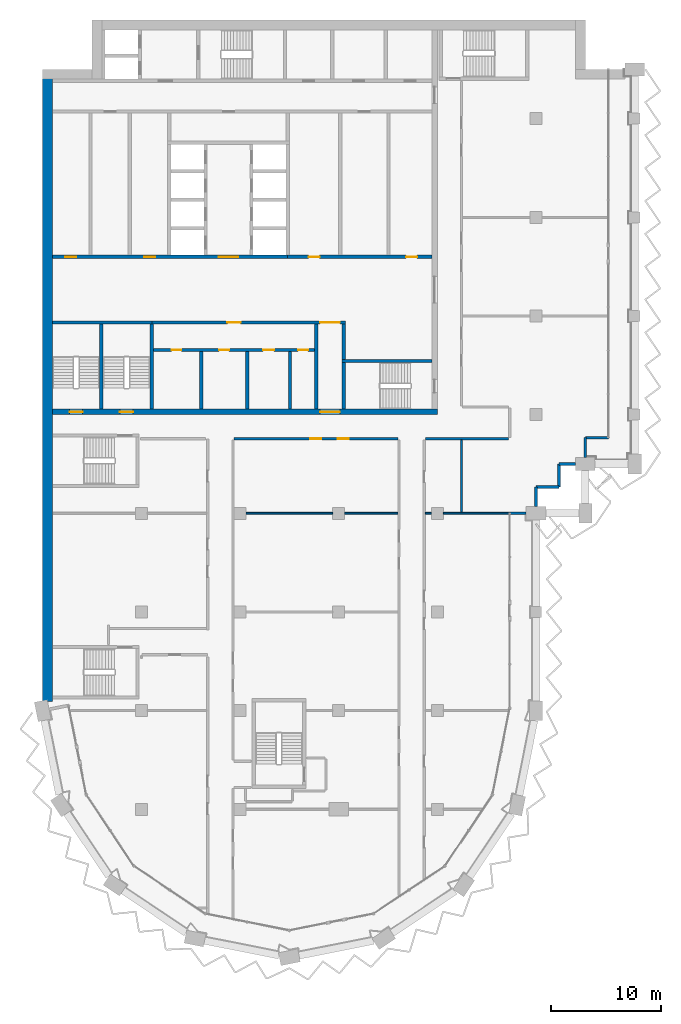
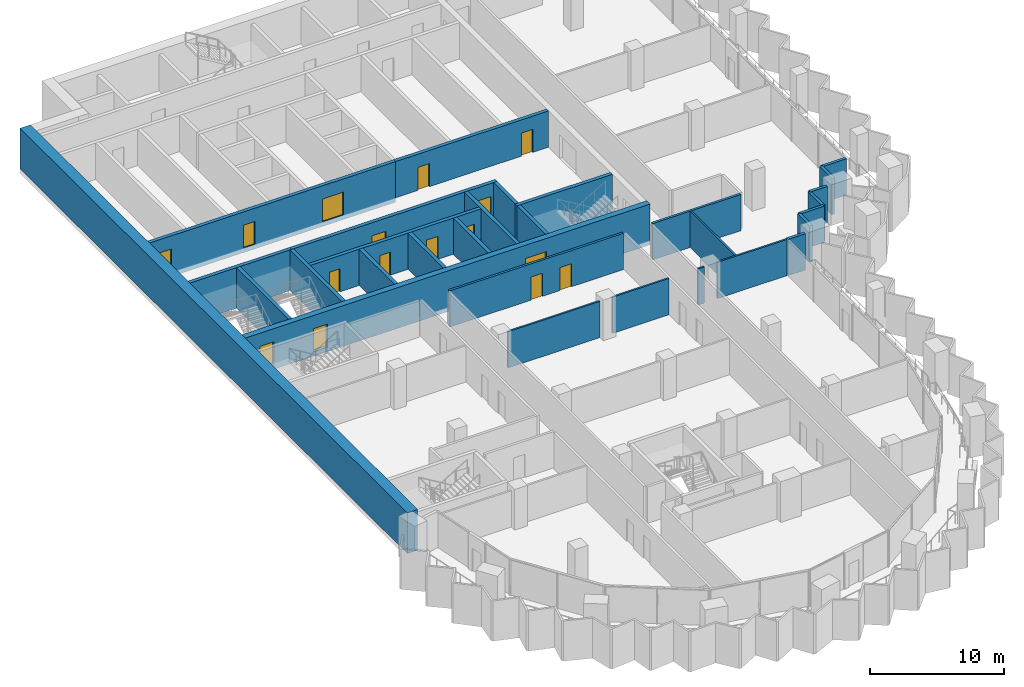
# One storey, part 9 of 17: 30 walls, 16 doors, 16 openings.
"""IFC4 building model written with IfcOpenShell, lengths in metres."""

import ifcopenshell
import ifcopenshell.guid

model = None  # the IFC model being written
_history = None  # IfcOwnerHistory: only IFC2X3 demands one
_inside = {}  # id of a spatial element -> (the spatial element, [elements in it])
_under = {}  # id of a project, library or spatial element -> (it, [spatial elements below it])
_declared = {}  # id of a project -> (the project, [libraries it declares])
_typed = {}  # id of a type object -> (the type object, [elements of that type])
_made_of = {}  # id of a material, layer set ... -> (it, [elements and type objects made of it])


def new_model(schema):
    """Start an empty IFC model of exactly this schema.

    Asked for "IFC4X3", IfcOpenShell would pick the latest addendum, in which some entities
    have other attributes; the version numbers below select the first issue.
    IFC2X3 requires an IfcOwnerHistory on every rooted entity: one is made here for all.
    """
    global model, _history
    if schema == "IFC4X3":
        model = ifcopenshell.file(schema_version=(4, 3, 0, 0))
    else:
        model = ifcopenshell.file(schema=schema)
    _inside.clear()
    _under.clear()
    _declared.clear()
    _typed.clear()
    _made_of.clear()
    _history = None
    if model.schema == "IFC2X3":
        org = make("IfcOrganization", Name="unknown")
        user = make(
            "IfcPersonAndOrganization",
            ThePerson=make("IfcPerson", FamilyName="unknown"),
            TheOrganization=org,
        )
        app = make(
            "IfcApplication",
            ApplicationDeveloper=org,
            Version="unknown",
            ApplicationFullName="unknown",
            ApplicationIdentifier="unknown",
        )
        _history = make(
            "IfcOwnerHistory",
            OwningUser=user,
            OwningApplication=app,
            ChangeAction="ADDED",
            CreationDate=0,
        )
    return model


def make(cls, **values):
    """One entity of the class cls with the attributes given. An attribute that is None is left unset."""
    return model.create_entity(
        cls, **{name: value for name, value in values.items() if value is not None}
    )


def rooted(cls, **values):
    """An entity with a GlobalId (a new one), such as an element, a storey or a relation."""
    return make(cls, GlobalId=ifcopenshell.guid.new(), OwnerHistory=_history, **values)


def si_unit(unit_type, name, prefix=None):
    """IfcSIUnit, for example si_unit("LENGTHUNIT", "METRE", prefix="MILLI")."""
    return make("IfcSIUnit", UnitType=unit_type, Prefix=prefix, Name=name)


def assignment(units):
    """IfcUnitAssignment: the units of a project."""
    return None if units is None else make("IfcUnitAssignment", Units=units)


def point(xyz):
    """IfcCartesianPoint."""
    return None if xyz is None else make("IfcCartesianPoint", Coordinates=xyz)


def direction(xyz):
    """IfcDirection."""
    return None if xyz is None else make("IfcDirection", DirectionRatios=xyz)


def frame(location, z_axis=None, x_axis=None):
    """IfcAxis2Placement3D, a coordinate frame: its origin and axes. An axis left out is left unset."""
    return make(
        "IfcAxis2Placement3D",
        Location=point(location),
        Axis=direction(z_axis),
        RefDirection=direction(x_axis),
    )


def frame_2d(location, x_axis=None):
    """IfcAxis2Placement2D, a coordinate frame in the plane: its origin and x axis."""
    return make(
        "IfcAxis2Placement2D", Location=point(location), RefDirection=direction(x_axis)
    )


def origin():
    """The frame at (0, 0, 0) with its axes left unset."""
    return frame((0.0, 0.0, 0.0))


def place(relative_to, where):
    """IfcLocalPlacement: puts the frame where relative to a parent placement (None: the world)."""
    return make(
        "IfcLocalPlacement", PlacementRelTo=relative_to, RelativePlacement=where
    )


def context(
    kind, dimensions, precision=None, world=None, true_north=None, identifier=None
):
    """IfcGeometricRepresentationContext, for example the 3D "Model" context."""
    return make(
        "IfcGeometricRepresentationContext",
        ContextIdentifier=identifier,
        ContextType=kind,
        CoordinateSpaceDimension=dimensions,
        Precision=precision,
        WorldCoordinateSystem=world,
        TrueNorth=true_north,
    )


def subcontext(parent, identifier, kind, view, scale=None):
    """IfcGeometricRepresentationSubContext, for example "Body" below "Model"."""
    return make(
        "IfcGeometricRepresentationSubContext",
        ContextIdentifier=identifier,
        ContextType=kind,
        ParentContext=parent,
        TargetScale=scale,
        TargetView=view,
    )


def project(units=None, contexts=None):
    """IfcProject with its units and contexts."""
    return rooted(
        "IfcProject",
        Name="project",
        RepresentationContexts=contexts,
        UnitsInContext=assignment(units),
    )


def spatial(cls, under=None, at=None, **own):
    """A site, building, storey or space (cls), placed at a placement, below another one or the project."""
    s = rooted(cls, ObjectPlacement=at, **own)
    if under is not None:
        _under.setdefault(under.id(), (under, []))[1].append(s)
    return s


def profile(cls, at=None, kind="AREA", **sizes):
    """A parametric profile (cls). Its sizes go by their IFC names, for example OverallWidth=200.0."""
    return make(cls, ProfileType=kind, Position=at, **sizes)


def rectangle(**sizes):
    """IfcRectangleProfileDef."""
    return profile("IfcRectangleProfileDef", **sizes)


def extrude(swept, where, along, depth):
    """IfcExtrudedAreaSolid: the profile swept, set in the frame where, extruded along a direction by depth."""
    return make(
        "IfcExtrudedAreaSolid",
        SweptArea=swept,
        Position=where,
        ExtrudedDirection=direction(along),
        Depth=depth,
    )


def shape(context_of_items, identifier, shape_type, items):
    """IfcShapeRepresentation: the items that make up one representation, for example the "Body"."""
    return make(
        "IfcShapeRepresentation",
        ContextOfItems=context_of_items,
        RepresentationIdentifier=identifier,
        RepresentationType=shape_type,
        Items=items,
    )


def material(Name=None, Category=None):
    """IfcMaterial."""
    return make("IfcMaterial", Name=Name, Category=Category)


def layer(
    of_material, thickness, ventilated=None, Name=None, Category=None, Priority=None
):
    """IfcMaterialLayer: one layer of a wall or slab, of a material (None: an air gap)."""
    return make(
        "IfcMaterialLayer",
        Material=of_material,
        LayerThickness=thickness,
        IsVentilated=ventilated,
        Name=Name,
        Category=Category,
        Priority=Priority,
    )


def layer_set(layers, Name=None):
    """IfcMaterialLayerSet."""
    return make("IfcMaterialLayerSet", MaterialLayers=layers, LayerSetName=Name)


def made_of(thing, what):
    """Note that an element or type object is made of a material, layer set ...; save() writes the relation."""
    if what is not None:
        _made_of.setdefault(what.id(), (what, []))[1].append(thing)
    return thing


def type_object(cls, material=None, **own):
    """A type object (cls), such as IfcWallType, which elements share."""
    return made_of(rooted(cls, **own), material)


def element(
    cls,
    number,
    at=None,
    inside=None,
    cuts=None,
    type_object=None,
    material=None,
    context=None,
    identifier="Body",
    shape_type=None,
    held_by="IfcProductDefinitionShape",
    body=None,
    shapes=None,
    **own,
):
    """One element of the class cls, such as IfcWall. Its Tag is "e" and its number.

    at: its placement. inside: the storey or other place that contains it. cuts: it is an
    opening in that element (IfcRelVoidsElement). A single representation is given by context,
    identifier, shape_type and body (its items); several are given by shapes. held_by: the class
    of the entity that holds the representations. save() writes the other relations.
    """
    e = rooted(cls, Tag="e%d" % number, ObjectPlacement=at, **own)
    if body is not None:
        shapes = [shape(context, identifier, shape_type, body)]
    if shapes is not None:
        e.Representation = make(held_by, Representations=shapes)
    if inside is not None:
        _inside.setdefault(inside.id(), (inside, []))[1].append(e)
    if cuts is not None:
        rooted(
            "IfcRelVoidsElement", RelatingBuildingElement=cuts, RelatedOpeningElement=e
        )
    if type_object is not None:
        _typed.setdefault(type_object.id(), (type_object, []))[1].append(e)
    return made_of(e, material)


def fill(opening, filler):
    """IfcRelFillsElement: the door or window that sits in an opening."""
    return rooted(
        "IfcRelFillsElement",
        RelatingOpeningElement=opening,
        RelatedBuildingElement=filler,
    )


def aggregate(whole, parts):
    """IfcRelAggregates: a whole, such as a stair, and the parts it consists of."""
    return rooted("IfcRelAggregates", RelatingObject=whole, RelatedObjects=parts)


def save(model, path):
    """Write the relations noted so far, then the file.

    IfcRelAggregates (storeys below a building ...), IfcRelContainedInSpatialStructure (elements
    in a storey), IfcRelDefinesByType, IfcRelAssociatesMaterial and IfcRelDeclares: one each for
    every whole, place, type object, material and project.
    """
    for whole, parts in _under.values():
        aggregate(whole, parts)
    for where, things in _inside.values():
        rooted(
            "IfcRelContainedInSpatialStructure",
            RelatedElements=things,
            RelatingStructure=where,
        )
    for kind, things in _typed.values():
        rooted("IfcRelDefinesByType", RelatedObjects=things, RelatingType=kind)
    for what, things in _made_of.values():
        rooted("IfcRelAssociatesMaterial", RelatedObjects=things, RelatingMaterial=what)
    for by, libraries in _declared.values():
        rooted("IfcRelDeclares", RelatingContext=by, RelatedDefinitions=libraries)
    model.write(path)


model = new_model("IFC4")

# Units and contexts
model_context = context("Model", 3, precision=1e-05, world=origin(), true_north=direction((0.0, 1.0)))
body_context = subcontext(model_context, "Body", "Model", "MODEL_VIEW")
ifc_project = project(units=[si_unit("LENGTHUNIT", "METRE"), si_unit("AREAUNIT", "SQUARE_METRE"), si_unit("VOLUMEUNIT", "CUBIC_METRE"), si_unit("PLANEANGLEUNIT", "RADIAN"), si_unit("MASSUNIT", "GRAM", prefix="KILO")], contexts=[model_context])

# Site, building, storey
site_placement = place(None, origin())
site = spatial("IfcSite", under=ifc_project, at=site_placement, CompositionType="ELEMENT")
building_placement = place(site_placement, origin())
building = spatial("IfcBuilding", under=site, at=building_placement, Name="Hunhe Ridgeline Campus", CompositionType="ELEMENT")
storey_placement = place(building_placement, frame((0.0, 0.0, 190.199951171875)))
storey = spatial("IfcBuildingStorey", under=building, at=storey_placement, Name="L48", CompositionType="ELEMENT", Elevation=190.199951171875)

# Wall, openings, doors
ifc_material_1 = material(Name="Masonry concrete blockwork", Category="masonry")
ifc_layer_1 = layer(ifc_material_1, 0.300048828125)
ifc_layer_set_1 = layer_set([ifc_layer_1], Name="Core room partition 300 concrete block")
wall_type_1 = type_object("IfcWallType", Name="Core room partition 300 concrete block", PredefinedType="PARTITIONING", material=ifc_layer_set_1)
wall_1_placement = place(storey_placement, frame((10.10009765625, 68.89990234375, 0.0), z_axis=(0.0, 0.0, 1.0), x_axis=(1.0, 0.0, 0.0)))
wall_1 = element("IfcWall", 1, at=wall_1_placement, inside=storey, type_object=wall_type_1, Name="L48 core partition 9", PredefinedType="PARTITIONING", context=body_context, shape_type="SweptSolid", body=[
    extrude(rectangle(XDim=14.699951171875, YDim=0.300048828125, at=frame_2d((7.35009765625, 0.0))), origin(), (0.0, 0.0, 1.0), 3.300048828125),
])
opening_1_placement = place(wall_1_placement, frame((1.64990234375, 0.0, 0.0)))
opening_1 = element("IfcOpeningElement", 2, at=opening_1_placement, cuts=wall_1, Name="Opening CD8", PredefinedType="OPENING", context=body_context, shape_type="SweptSolid", body=[
    extrude(rectangle(XDim=0.89990234375, YDim=2.10009765625, at=frame_2d((0.449951171875, 1.050048828125))), frame((0.0, 0.14990234375, 0.0), z_axis=(0.0, -1.0, 0.0), x_axis=(1.0, 0.0, 0.0)), (0.0, 0.0, 1.0), 0.300048828125),
])
opening_2_placement = place(wall_1_placement, frame((6.0, 0.0, 0.0)))
opening_2 = element("IfcOpeningElement", 3, at=opening_2_placement, cuts=wall_1, Name="Opening CD9", PredefinedType="OPENING", context=body_context, shape_type="SweptSolid", body=[
    extrude(rectangle(XDim=0.89990234375, YDim=2.10009765625, at=frame_2d((0.449951171875, 1.050048828125))), frame((0.0, 0.14990234375, 0.0), z_axis=(0.0, -1.0, 0.0), x_axis=(1.0, 0.0, 0.0)), (0.0, 0.0, 1.0), 0.300048828125),
])
opening_3_placement = place(wall_1_placement, frame((10.0, 0.0, 0.0)))
opening_3 = element("IfcOpeningElement", 4, at=opening_3_placement, cuts=wall_1, Name="Opening CD10", PredefinedType="OPENING", context=body_context, shape_type="SweptSolid", body=[
    extrude(rectangle(XDim=1.0, YDim=2.10009765625, at=frame_2d((0.5, 1.050048828125))), frame((0.0, 0.14990234375, 0.0), z_axis=(0.0, -1.0, 0.0), x_axis=(1.0, 0.0, 0.0)), (0.0, 0.0, 1.0), 0.300048828125),
])
opening_4_placement = place(wall_1_placement, frame((13.199951171875, 0.0, 0.0)))
opening_4 = element("IfcOpeningElement", 5, at=opening_4_placement, cuts=wall_1, Name="Opening CD11", PredefinedType="OPENING", context=body_context, shape_type="SweptSolid", body=[
    extrude(rectangle(XDim=0.89990234375, YDim=2.10009765625, at=frame_2d((0.449951171875, 1.050048828125))), frame((0.0, 0.14990234375, 0.0), z_axis=(0.0, -1.0, 0.0), x_axis=(1.0, 0.0, 0.0)), (0.0, 0.0, 1.0), 0.300048828125),
])
ifc_material_2 = material(Name="Solid core timber door leaf", Category="wood")
door_type_1 = type_object("IfcDoorType", Name="Timber door 1000x2100", OperationType="SINGLE_SWING_LEFT", PredefinedType="DOOR", material=ifc_material_2)
door_1_placement = place(opening_3_placement, frame((1.0, 0.0, 0.0), z_axis=(0.0, 0.0, 1.0), x_axis=(-1.0, 0.0, 0.0)))
door_1 = element("IfcDoor", 6, at=door_1_placement, inside=storey, type_object=door_type_1, Name="L48 door WC3", OperationType="SINGLE_SWING_LEFT", OverallHeight=2.10009765625, OverallWidth=1.0, PredefinedType="DOOR", context=body_context, shape_type="SweptSolid", body=[
    extrude(rectangle(XDim=1.0, YDim=2.10009765625, at=frame_2d((0.5, 1.050048828125))), frame((0.0, 0.02490234375, 0.0), z_axis=(0.0, -1.0, 0.0), x_axis=(1.0, 0.0, 0.0)), (0.0, 0.0, 1.0), 0.050048828125),
])
fill(opening_3, door_1)
door_type_2 = type_object("IfcDoorType", Name="Timber door 900x2100", OperationType="SINGLE_SWING_LEFT", PredefinedType="DOOR", material=ifc_material_2)
door_2_placement = place(opening_1_placement, frame((0.89990234375, 0.0, 0.0), z_axis=(0.0, 0.0, 1.0), x_axis=(-1.0, 0.0, 0.0)))
door_2 = element("IfcDoor", 7, at=door_2_placement, inside=storey, type_object=door_type_2, Name="L48 door WC1", OperationType="SINGLE_SWING_LEFT", OverallHeight=2.10009765625, OverallWidth=0.89990234375, PredefinedType="DOOR", context=body_context, shape_type="SweptSolid", body=[
    extrude(rectangle(XDim=0.89990234375, YDim=2.10009765625, at=frame_2d((0.449951171875, 1.050048828125))), frame((0.0, 0.02490234375, 0.0), z_axis=(0.0, -1.0, 0.0), x_axis=(1.0, 0.0, 0.0)), (0.0, 0.0, 1.0), 0.050048828125),
])
fill(opening_1, door_2)
door_3_placement = place(opening_2_placement, frame((0.89990234375, 0.0, 0.0), z_axis=(0.0, 0.0, 1.0), x_axis=(-1.0, 0.0, 0.0)))
door_3 = element("IfcDoor", 8, at=door_3_placement, inside=storey, type_object=door_type_2, Name="L48 door WC2", OperationType="SINGLE_SWING_RIGHT", OverallHeight=2.10009765625, OverallWidth=0.89990234375, PredefinedType="DOOR", context=body_context, shape_type="SweptSolid", body=[
    extrude(rectangle(XDim=0.89990234375, YDim=2.10009765625, at=frame_2d((0.449951171875, 1.050048828125))), frame((0.0, 0.02490234375, 0.0), z_axis=(0.0, -1.0, 0.0), x_axis=(1.0, 0.0, 0.0)), (0.0, 0.0, 1.0), 0.050048828125),
])
fill(opening_2, door_3)
door_4_placement = place(opening_4_placement, frame((0.89990234375, 0.0, 0.0), z_axis=(0.0, 0.0, 1.0), x_axis=(-1.0, 0.0, 0.0)))
door_4 = element("IfcDoor", 9, at=door_4_placement, inside=storey, type_object=door_type_2, Name="L48 door WC4", OperationType="SINGLE_SWING_RIGHT", OverallHeight=2.10009765625, OverallWidth=0.89990234375, PredefinedType="DOOR", context=body_context, shape_type="SweptSolid", body=[
    extrude(rectangle(XDim=0.89990234375, YDim=2.10009765625, at=frame_2d((0.449951171875, 1.050048828125))), frame((0.0, 0.02490234375, 0.0), z_axis=(0.0, -1.0, 0.0), x_axis=(1.0, 0.0, 0.0)), (0.0, 0.0, 1.0), 0.050048828125),
])
fill(opening_4, door_4)

wall_2_placement = place(storey_placement, frame((9.949951171875, 71.39990234375, 0.0), z_axis=(0.0, 0.0, 1.0), x_axis=(1.0, 0.0, 0.0)))
wall_2 = element("IfcWall", 10, at=wall_2_placement, inside=storey, type_object=wall_type_1, Name="L48 core partition 11", PredefinedType="PARTITIONING", context=body_context, shape_type="SweptSolid", body=[
    extrude(rectangle(XDim=17.650146484375, YDim=0.300048828125, at=frame_2d((8.8251953125, 0.0))), origin(), (0.0, 0.0, 1.0), 3.300048828125),
])
opening_5_placement = place(wall_2_placement, frame((15.35009765625, 0.0, 0.0)))
opening_5 = element("IfcOpeningElement", 11, at=opening_5_placement, cuts=wall_2, Name="Opening CD7", PredefinedType="OPENING", context=body_context, shape_type="SweptSolid", body=[
    extrude(rectangle(XDim=1.800048828125, YDim=2.10009765625, at=frame_2d((0.89990234375, 1.050048828125))), frame((0.0, 0.14990234375, 0.0), z_axis=(0.0, -1.0, 0.0), x_axis=(1.0, 0.0, 0.0)), (0.0, 0.0, 1.0), 0.300048828125),
])
opening_6_placement = place(wall_2_placement, frame((6.89990234375, 0.0, 0.0)))
opening_6 = element("IfcOpeningElement", 12, at=opening_6_placement, cuts=wall_2, Name="Opening CD37", PredefinedType="OPENING", context=body_context, shape_type="SweptSolid", body=[
    extrude(rectangle(XDim=1.199951171875, YDim=2.10009765625, at=frame_2d((0.60009765625, 1.050048828125))), frame((0.0, 0.14990234375, 0.0), z_axis=(0.0, -1.0, 0.0), x_axis=(1.0, 0.0, 0.0)), (0.0, 0.0, 1.0), 0.300048828125),
])
ifc_material_3 = material(Name="Anodised aluminium and glass", Category="aluminium")
door_type_3 = type_object("IfcDoorType", Name="Glazed double door 1800x2100", OperationType="DOUBLE_DOOR_SINGLE_SWING", PredefinedType="DOOR", material=ifc_material_3)
door_5_placement = place(opening_5_placement, origin())
door_5 = element("IfcDoor", 13, at=door_5_placement, inside=storey, type_object=door_type_3, Name="L48 door VEST-HALL", OperationType="DOUBLE_DOOR_SINGLE_SWING", OverallHeight=2.10009765625, OverallWidth=1.800048828125, PredefinedType="DOOR", context=body_context, shape_type="SweptSolid", body=[
    extrude(rectangle(XDim=1.800048828125, YDim=2.10009765625, at=frame_2d((0.89990234375, 1.050048828125))), frame((0.0, 0.02490234375, 0.0), z_axis=(0.0, -1.0, 0.0), x_axis=(1.0, 0.0, 0.0)), (0.0, 0.0, 1.0), 0.050048828125),
])
fill(opening_5, door_5)
door_type_4 = type_object("IfcDoorType", Name="Timber door 1200x2100", OperationType="SINGLE_SWING_LEFT", PredefinedType="DOOR", material=ifc_material_2)
door_6_placement = place(opening_6_placement, origin())
door_6 = element("IfcDoor", 14, at=door_6_placement, inside=storey, type_object=door_type_4, Name="L48 door WCL1-HALL", OperationType="SINGLE_SWING_RIGHT", OverallHeight=2.10009765625, OverallWidth=1.199951171875, PredefinedType="DOOR", context=body_context, shape_type="SweptSolid", body=[
    extrude(rectangle(XDim=1.199951171875, YDim=2.10009765625, at=frame_2d((0.60009765625, 1.050048828125))), frame((0.0, 0.02490234375, 0.0), z_axis=(0.0, -1.0, 0.0), x_axis=(1.0, 0.0, 0.0)), (0.0, 0.0, 1.0), 0.050048828125),
])
fill(opening_6, door_6)

wall_3_placement = place(storey_placement, frame((22.35009765625, 77.39990234375, 0.0), z_axis=(0.0, 0.0, 1.0), x_axis=(1.0, 0.0, 0.0)))
wall_3 = element("IfcWall", 15, at=wall_3_placement, inside=storey, type_object=wall_type_1, Name="L48 core partition 13", PredefinedType="PARTITIONING", context=body_context, shape_type="SweptSolid", body=[
    extrude(rectangle(XDim=13.14990234375, YDim=0.300048828125, at=frame_2d((6.574951171875, 0.0))), origin(), (0.0, 0.0, 1.0), 3.300048828125),
])
opening_7_placement = place(wall_3_placement, frame((1.89990234375, 0.0, 0.0)))
opening_7 = element("IfcOpeningElement", 16, at=opening_7_placement, cuts=wall_3, Name="Opening CD32", PredefinedType="OPENING", context=body_context, shape_type="SweptSolid", body=[
    extrude(rectangle(XDim=1.0, YDim=2.10009765625, at=frame_2d((0.5, 1.050048828125))), frame((0.0, 0.14990234375, 0.0), z_axis=(0.0, -1.0, 0.0), x_axis=(1.0, 0.0, 0.0)), (0.0, 0.0, 1.0), 0.300048828125),
])
opening_8_placement = place(wall_3_placement, frame((10.800048828125, 0.0, 0.0)))
opening_8 = element("IfcOpeningElement", 17, at=opening_8_placement, cuts=wall_3, Name="Opening CD42", PredefinedType="OPENING", context=body_context, shape_type="SweptSolid", body=[
    extrude(rectangle(XDim=1.0, YDim=2.10009765625, at=frame_2d((0.5, 1.050048828125))), frame((0.0, 0.14990234375, 0.0), z_axis=(0.0, -1.0, 0.0), x_axis=(1.0, 0.0, 0.0)), (0.0, 0.0, 1.0), 0.300048828125),
])
door_7_placement = place(opening_7_placement, origin())
door_7 = element("IfcDoor", 18, at=door_7_placement, inside=storey, type_object=door_type_1, Name="L48 door ES0", OperationType="SINGLE_SWING_LEFT", OverallHeight=2.10009765625, OverallWidth=1.0, PredefinedType="DOOR", context=body_context, shape_type="SweptSolid", body=[
    extrude(rectangle(XDim=1.0, YDim=2.10009765625, at=frame_2d((0.5, 1.050048828125))), frame((0.0, 0.02490234375, 0.0), z_axis=(0.0, -1.0, 0.0), x_axis=(1.0, 0.0, 0.0)), (0.0, 0.0, 1.0), 0.050048828125),
])
fill(opening_7, door_7)
door_8_placement = place(opening_8_placement, origin())
door_8 = element("IfcDoor", 19, at=door_8_placement, inside=storey, type_object=door_type_1, Name="L48 door ES2", OperationType="SINGLE_SWING_LEFT", OverallHeight=2.10009765625, OverallWidth=1.0, PredefinedType="DOOR", context=body_context, shape_type="SweptSolid", body=[
    extrude(rectangle(XDim=1.0, YDim=2.10009765625, at=frame_2d((0.5, 1.050048828125))), frame((0.0, 0.02490234375, 0.0), z_axis=(0.0, -1.0, 0.0), x_axis=(1.0, 0.0, 0.0)), (0.0, 0.0, 1.0), 0.050048828125),
])
fill(opening_8, door_8)

# Walls
for number, where, z_axis, x_axis, name in (
    (20, (14.449951171875, 63.5, 0.0), (0.0, 0.0, 1.0), (0.0, 1.0, 0.0), "L48 core partition 36"),
    (21, (18.64990234375, 63.5, 0.0), (0.0, 0.0, 1.0), (0.0, 1.0, 0.0), "L48 core partition 38"),
    (22, (22.550048828125, 63.5, 0.0), (0.0, 0.0, 1.0), (0.0, 1.0, 0.0), "L48 core partition 44"),
):
    element("IfcWall", number, at=place(storey_placement, frame(where, z_axis=z_axis, x_axis=x_axis)), inside=storey, type_object=wall_type_1, Name=name, PredefinedType="PARTITIONING", context=body_context, shape_type="SweptSolid", body=[
        extrude(rectangle(XDim=5.25, YDim=0.300048828125, at=frame_2d((2.625, 0.0))), origin(), (0.0, 0.0, 1.0), 3.300048828125),
    ])
wall_4_placement = place(storey_placement, frame((24.949951171875, 63.5, 0.0), z_axis=(0.0, 0.0, 1.0), x_axis=(0.0, 1.0, 0.0)))
element("IfcWall", 23, at=wall_4_placement, inside=storey, type_object=wall_type_1, Name="L48 core partition 46", PredefinedType="PARTITIONING", context=body_context, shape_type="SweptSolid", body=[
    extrude(rectangle(XDim=7.75, YDim=0.300048828125, at=frame_2d((3.875, 0.0))), origin(), (0.0, 0.0, 1.0), 3.300048828125),
])
wall_5_placement = place(storey_placement, frame((27.449951171875, 68.050048828125, 0.0), z_axis=(0.0, 0.0, 1.0), x_axis=(0.0, 1.0, 0.0)))
element("IfcWall", 24, at=wall_5_placement, inside=storey, type_object=wall_type_1, Name="L48 core partition 50", PredefinedType="PARTITIONING", context=body_context, shape_type="SweptSolid", body=[
    extrude(rectangle(XDim=3.199951171875, YDim=0.300048828125, at=frame_2d((1.60009765625, 0.0))), origin(), (0.0, 0.0, 1.0), 3.300048828125),
])

# Wall, openings, doors
ifc_material_4 = material(Name="Concrete C60", Category="concrete")
ifc_layer_2 = layer(ifc_material_4, 0.5)
ifc_layer_set_2 = layer_set([ifc_layer_2], Name="Core wall 500 reinforced concrete C60")
wall_type_2 = type_object("IfcWallType", Name="Core wall 500 reinforced concrete C60", PredefinedType="SOLIDWALL", material=ifc_layer_set_2)
wall_6_placement = place(storey_placement, frame((0.89990234375, 63.25, -0.39990234375), z_axis=(0.0, 0.0, 1.0), x_axis=(1.0, 0.0, 0.0)))
wall_6 = element("IfcWall", 25, at=wall_6_placement, inside=storey, type_object=wall_type_2, Name="L48 core wall 7", PredefinedType="SOLIDWALL", context=body_context, shape_type="SweptSolid", body=[
    extrude(rectangle(XDim=35.10009765625, YDim=0.5, at=frame_2d((17.550048828125, 0.0))), origin(), (0.0, 0.0, 1.0), 3.699951171875),
])
opening_9_placement = place(wall_6_placement, frame((24.39990234375, 0.0, 0.39990234375)))
opening_9 = element("IfcOpeningElement", 26, at=opening_9_placement, cuts=wall_6, Name="Opening CD6", PredefinedType="OPENING", context=body_context, shape_type="SweptSolid", body=[
    extrude(rectangle(XDim=1.800048828125, YDim=2.10009765625, at=frame_2d((0.89990234375, 1.050048828125))), frame((0.0, 0.25, 0.0), z_axis=(0.0, -1.0, 0.0), x_axis=(1.0, 0.0, 0.0)), (0.0, 0.0, 1.0), 0.5),
])
opening_10_placement = place(wall_6_placement, frame((1.550048828125, 0.0, 0.39990234375)))
opening_10 = element("IfcOpeningElement", 27, at=opening_10_placement, cuts=wall_6, Name="Opening CD13", PredefinedType="OPENING", context=body_context, shape_type="SweptSolid", body=[
    extrude(rectangle(XDim=1.199951171875, YDim=2.10009765625, at=frame_2d((0.60009765625, 1.050048828125))), frame((0.0, 0.25, 0.0), z_axis=(0.0, -1.0, 0.0), x_axis=(1.0, 0.0, 0.0)), (0.0, 0.0, 1.0), 0.5),
])
opening_11_placement = place(wall_6_placement, frame((6.14990234375, 0.0, 0.39990234375)))
opening_11 = element("IfcOpeningElement", 28, at=opening_11_placement, cuts=wall_6, Name="Opening CD14", PredefinedType="OPENING", context=body_context, shape_type="SweptSolid", body=[
    extrude(rectangle(XDim=1.199951171875, YDim=2.10009765625, at=frame_2d((0.60009765625, 1.050048828125))), frame((0.0, 0.25, 0.0), z_axis=(0.0, -1.0, 0.0), x_axis=(1.0, 0.0, 0.0)), (0.0, 0.0, 1.0), 0.5),
])
door_9_placement = place(opening_9_placement, frame((1.800048828125, 0.0, 0.0), z_axis=(0.0, 0.0, 1.0), x_axis=(-1.0, 0.0, 0.0)))
door_9 = element("IfcDoor", 29, at=door_9_placement, inside=storey, type_object=door_type_3, Name="L48 door VEST-FLOOR", OperationType="DOUBLE_DOOR_SINGLE_SWING", OverallHeight=2.10009765625, OverallWidth=1.800048828125, PredefinedType="DOOR", context=body_context, shape_type="SweptSolid", body=[
    extrude(rectangle(XDim=1.800048828125, YDim=2.10009765625, at=frame_2d((0.89990234375, 1.050048828125))), frame((0.0, 0.02490234375, 0.0), z_axis=(0.0, -1.0, 0.0), x_axis=(1.0, 0.0, 0.0)), (0.0, 0.0, 1.0), 0.050048828125),
])
fill(opening_9, door_9)
ifc_material_5 = material(Name="Hollow metal fire door leaf")
door_type_5 = type_object("IfcDoorType", Name="Stair door 1200x2100 FD60", OperationType="SINGLE_SWING_LEFT", PredefinedType="DOOR", material=ifc_material_5)
door_10_placement = place(opening_10_placement, frame((1.199951171875, 0.0, 0.0), z_axis=(0.0, 0.0, 1.0), x_axis=(-1.0, 0.0, 0.0)))
door_10 = element("IfcDoor", 30, at=door_10_placement, inside=storey, type_object=door_type_5, Name="L48 door S3", OperationType="SINGLE_SWING_LEFT", OverallHeight=2.10009765625, OverallWidth=1.199951171875, PredefinedType="DOOR", context=body_context, shape_type="SweptSolid", body=[
    extrude(rectangle(XDim=1.199951171875, YDim=2.10009765625, at=frame_2d((0.60009765625, 1.050048828125))), frame((0.0, 0.02490234375, 0.0), z_axis=(0.0, -1.0, 0.0), x_axis=(1.0, 0.0, 0.0)), (0.0, 0.0, 1.0), 0.050048828125),
])
fill(opening_10, door_10)
door_11_placement = place(opening_11_placement, frame((1.199951171875, 0.0, 0.0), z_axis=(0.0, 0.0, 1.0), x_axis=(-1.0, 0.0, 0.0)))
door_11 = element("IfcDoor", 31, at=door_11_placement, inside=storey, type_object=door_type_5, Name="L48 door S4", OperationType="SINGLE_SWING_RIGHT", OverallHeight=2.10009765625, OverallWidth=1.199951171875, PredefinedType="DOOR", context=body_context, shape_type="SweptSolid", body=[
    extrude(rectangle(XDim=1.199951171875, YDim=2.10009765625, at=frame_2d((0.60009765625, 1.050048828125))), frame((0.0, 0.02490234375, 0.0), z_axis=(0.0, -1.0, 0.0), x_axis=(1.0, 0.0, 0.0)), (0.0, 0.0, 1.0), 0.050048828125),
])
fill(opening_11, door_11)

# Walls
ifc_material_6 = material(Name="Concrete C30", Category="concrete")
ifc_layer_3 = layer(ifc_material_6, 0.25)
ifc_layer_set_3 = layer_set([ifc_layer_3], Name="Corner return wall 250 Concrete C30")
wall_type_3 = type_object("IfcWallType", Name="Corner return wall 250 Concrete C30", PredefinedType="SOLIDWALL", material=ifc_layer_set_3)
wall_7_placement = place(storey_placement, frame((42.59912109375, 54.00048828125, 0.0), z_axis=(0.0, 0.0, 1.0), x_axis=(0.999999986772, 0.00016265452, 0.0)))
element("IfcWall", 32, at=wall_7_placement, inside=storey, type_object=wall_type_3, Name="Corner return wall 2", PredefinedType="SOLIDWALL", context=body_context, shape_type="SweptSolid", body=[
    extrude(rectangle(XDim=1.5009765625, YDim=0.25, at=frame_2d((0.75048828125, 0.0))), origin(), (0.0, 0.0, 1.0), 3.300048828125),
])
wall_8_placement = place(storey_placement, frame((44.9990234375, 54.60009765625, 0.0), z_axis=(0.0, 0.0, 1.0), x_axis=(0.000135593219, 0.999999990807, 0.0)))
element("IfcWall", 33, at=wall_8_placement, inside=storey, type_object=wall_type_3, Name="Corner return wall 3", PredefinedType="SOLIDWALL", context=body_context, shape_type="SweptSolid", body=[
    extrude(rectangle(XDim=1.800537109375, YDim=0.25, at=frame_2d((0.900390625, 0.0))), origin(), (0.0, 0.0, 1.0), 3.300048828125),
])
wall_9_placement = place(storey_placement, frame((44.999267578125, 56.400634765625, 0.0), z_axis=(0.0, 0.0, 1.0), x_axis=(0.999999993241, 0.00011626555, 0.0)))
element("IfcWall", 34, at=wall_9_placement, inside=storey, type_object=wall_type_3, Name="Corner return wall 4", PredefinedType="SOLIDWALL", context=body_context, shape_type="SweptSolid", body=[
    extrude(rectangle(XDim=2.099853515625, YDim=0.25, at=frame_2d((1.0498046875, 0.0))), origin(), (0.0, 0.0, 1.0), 3.300048828125),
])
wall_10_placement = place(storey_placement, frame((47.09912109375, 56.40087890625, 0.0), z_axis=(0.0, 0.0, 1.0), x_axis=(0.000232504063, 0.999999972971, 0.0)))
element("IfcWall", 35, at=wall_10_placement, inside=storey, type_object=wall_type_3, Name="Corner return wall 5", PredefinedType="SOLIDWALL", context=body_context, shape_type="SweptSolid", body=[
    extrude(rectangle(XDim=2.10009765625, YDim=0.25, at=frame_2d((1.050048828125, 0.0))), origin(), (0.0, 0.0, 1.0), 3.300048828125),
])
wall_11_placement = place(storey_placement, frame((47.099609375, 58.5009765625, 0.0), z_axis=(0.0, 0.0, 1.0), x_axis=(1.0, 0.0, 0.0)))
element("IfcWall", 36, at=wall_11_placement, inside=storey, type_object=wall_type_3, Name="Corner return wall 6", PredefinedType="SOLIDWALL", context=body_context, shape_type="SweptSolid", body=[
    extrude(rectangle(XDim=1.50048828125, YDim=0.25, at=frame_2d((0.750244140625, 0.0))), origin(), (0.0, 0.0, 1.0), 3.300048828125),
])
wall_12_placement = place(storey_placement, frame((49.4990234375, 59.10009765625, 0.0), z_axis=(0.0, 0.0, 1.0), x_axis=(0.000271149665, 0.999999963239, 0.0)))
element("IfcWall", 37, at=wall_12_placement, inside=storey, type_object=wall_type_3, Name="Corner return wall 7", PredefinedType="SOLIDWALL", context=body_context, shape_type="SweptSolid", body=[
    extrude(rectangle(XDim=1.80078125, YDim=0.25, at=frame_2d((0.900390625, 0.0))), origin(), (0.0, 0.0, 1.0), 3.300048828125),
])
wall_13_placement = place(storey_placement, frame((49.49951171875, 60.90087890625, 0.0), z_axis=(0.0, 0.0, 1.0), x_axis=(1.0, 0.0, 0.0)))
element("IfcWall", 38, at=wall_13_placement, inside=storey, type_object=wall_type_3, Name="Corner return wall 8", PredefinedType="SOLIDWALL", context=body_context, shape_type="SweptSolid", body=[
    extrude(rectangle(XDim=2.099609375, YDim=0.25, at=frame_2d((1.0498046875, 0.0))), origin(), (0.0, 0.0, 1.0), 3.300048828125),
])

# Wall, openings, doors
ifc_material_7 = material(Name="Gypsum board partition")
ifc_layer_4 = layer(ifc_material_7, 0.199951171875)
ifc_layer_set_4 = layer_set([ifc_layer_4], Name="Corridor partition 200 gypsum board on steel studs")
wall_type_4 = type_object("IfcWallType", Name="Corridor partition 200 gypsum board on steel studs", PredefinedType="PARTITIONING", material=ifc_layer_set_4)
wall_14_placement = place(storey_placement, frame((32.39990234375, 60.800048828125, 0.0), z_axis=(0.0, 0.0, 1.0), x_axis=(-1.0, 0.0, 0.0)))
wall_14 = element("IfcWall", 39, at=wall_14_placement, inside=storey, type_object=wall_type_4, Name="F-L48-wall-028", PredefinedType="PARTITIONING", context=body_context, shape_type="SweptSolid", body=[
    extrude(rectangle(XDim=14.949951171875, YDim=0.199951171875, at=frame_2d((7.47509765625, 0.0))), origin(), (0.0, 0.0, 1.0), 3.300048828125),
])
opening_12_placement = place(wall_14_placement, frame((6.97509765625, 0.0, 0.0)))
opening_12 = element("IfcOpeningElement", 40, at=opening_12_placement, cuts=wall_14, Name="Opening RD1-020", PredefinedType="OPENING", context=body_context, shape_type="SweptSolid", body=[
    extrude(rectangle(XDim=1.0, YDim=2.10009765625, at=frame_2d((0.5, 1.050048828125))), frame((0.0, 0.10009765625, 0.0), z_axis=(0.0, -1.0, 0.0), x_axis=(1.0, 0.0, 0.0)), (0.0, 0.0, 1.0), 0.199951171875),
])
opening_13_placement = place(wall_14_placement, frame((4.47509765625, 0.0, 0.0)))
opening_13 = element("IfcOpeningElement", 41, at=opening_13_placement, cuts=wall_14, Name="Opening RD1-021", PredefinedType="OPENING", context=body_context, shape_type="SweptSolid", body=[
    extrude(rectangle(XDim=1.0, YDim=2.10009765625, at=frame_2d((0.5, 1.050048828125))), frame((0.0, 0.10009765625, 0.0), z_axis=(0.0, -1.0, 0.0), x_axis=(1.0, 0.0, 0.0)), (0.0, 0.0, 1.0), 0.199951171875),
])
ifc_material_8 = material(Name="Timber door leaf", Category="wood")
door_type_6 = type_object("IfcDoorType", Name="Single fire door 1000x2100 timber FD60", OperationType="NOTDEFINED", PredefinedType="DOOR", material=ifc_material_8)
door_12_placement = place(opening_12_placement, frame((1.0, 0.0, 0.0), z_axis=(0.0, 0.0, 1.0), x_axis=(-1.0, 0.0, 0.0)))
door_12 = element("IfcDoor", 42, at=door_12_placement, inside=storey, type_object=door_type_6, Name="F-L48-door-020", OperationType="SINGLE_SWING_LEFT", OverallHeight=2.10009765625, OverallWidth=1.0, PredefinedType="DOOR", context=body_context, shape_type="SweptSolid", body=[
    extrude(rectangle(XDim=1.0, YDim=2.10009765625, at=frame_2d((0.5, 1.050048828125))), frame((0.0, 0.02490234375, 0.0), z_axis=(0.0, -1.0, 0.0), x_axis=(1.0, 0.0, 0.0)), (0.0, 0.0, 1.0), 0.050048828125),
])
fill(opening_12, door_12)
door_13_placement = place(opening_13_placement, frame((1.0, 0.0, 0.0), z_axis=(0.0, 0.0, 1.0), x_axis=(-1.0, 0.0, 0.0)))
door_13 = element("IfcDoor", 43, at=door_13_placement, inside=storey, type_object=door_type_6, Name="F-L48-door-021", OperationType="SINGLE_SWING_RIGHT", OverallHeight=2.10009765625, OverallWidth=1.0, PredefinedType="DOOR", context=body_context, shape_type="SweptSolid", body=[
    extrude(rectangle(XDim=1.0, YDim=2.10009765625, at=frame_2d((0.5, 1.050048828125))), frame((0.0, 0.02490234375, 0.0), z_axis=(0.0, -1.0, 0.0), x_axis=(1.0, 0.0, 0.0)), (0.0, 0.0, 1.0), 0.050048828125),
])
fill(opening_13, door_13)

# Walls
wall_15_placement = place(storey_placement, frame((42.5, 60.800048828125, 0.0), z_axis=(0.0, 0.0, 1.0), x_axis=(-1.0, 0.0, 0.0)))
element("IfcWall", 44, at=wall_15_placement, inside=storey, type_object=wall_type_4, Name="F-L48-wall-029", PredefinedType="PARTITIONING", context=body_context, shape_type="SweptSolid", body=[
    extrude(rectangle(XDim=7.60009765625, YDim=0.199951171875, at=frame_2d((3.800048828125, 0.0))), origin(), (0.0, 0.0, 1.0), 3.300048828125),
])
ifc_layer_5 = layer(ifc_material_7, 0.14990234375)
ifc_layer_set_5 = layer_set([ifc_layer_5], Name="Room partition 150 gypsum board on steel studs")
wall_type_5 = type_object("IfcWallType", Name="Room partition 150 gypsum board on steel studs", PredefinedType="PARTITIONING", material=ifc_layer_set_5)
wall_16_placement = place(storey_placement, frame((18.550048828125, 54.0, 0.0), z_axis=(0.0, 0.0, 1.0), x_axis=(1.0, 0.0, 0.0)))
element("IfcWall", 45, at=wall_16_placement, inside=storey, type_object=wall_type_5, Name="F-L48-wall-023", PredefinedType="PARTITIONING", context=body_context, shape_type="SweptSolid", body=[
    extrude(rectangle(XDim=7.89990234375, YDim=0.14990234375, at=frame_2d((3.949951171875, 0.0))), origin(), (0.0, 0.0, 1.0), 3.300048828125),
])
wall_17_placement = place(storey_placement, frame((27.550048828125, 54.0, 0.0), z_axis=(0.0, 0.0, 1.0), x_axis=(1.0, 0.0, 0.0)))
element("IfcWall", 46, at=wall_17_placement, inside=storey, type_object=wall_type_5, Name="F-L48-wall-024", PredefinedType="PARTITIONING", context=body_context, shape_type="SweptSolid", body=[
    extrude(rectangle(XDim=4.849853515625, YDim=0.14990234375, at=frame_2d((2.4248046875, 0.0))), origin(), (0.0, 0.0, 1.0), 3.300048828125),
])
wall_18_placement = place(storey_placement, frame((34.89990234375, 54.0, 0.0), z_axis=(0.0, 0.0, 1.0), x_axis=(1.0, 0.0, 0.0)))
element("IfcWall", 47, at=wall_18_placement, inside=storey, type_object=wall_type_5, Name="F-L48-wall-025", PredefinedType="PARTITIONING", context=body_context, shape_type="SweptSolid", body=[
    extrude(rectangle(XDim=0.550048828125, YDim=0.14990234375, at=frame_2d((0.27490234375, 0.0))), origin(), (0.0, 0.0, 1.0), 3.300048828125),
])
wall_19_placement = place(storey_placement, frame((36.550048828125, 54.0, 0.0), z_axis=(0.0, 0.0, 1.0), x_axis=(1.0, 0.0, 0.0)))
element("IfcWall", 48, at=wall_19_placement, inside=storey, type_object=wall_type_5, Name="F-L48-wall-026", PredefinedType="PARTITIONING", context=body_context, shape_type="SweptSolid", body=[
    extrude(rectangle(XDim=5.9951171875, YDim=0.14990234375, at=frame_2d((2.99755859375, 0.0))), origin(), (0.0, 0.0, 1.0), 3.300048828125),
])
wall_20_placement = place(storey_placement, frame((38.199951171875, 60.699951171875, 0.0), z_axis=(0.0, 0.0, 1.0), x_axis=(0.0, -1.0, 0.0)))
element("IfcWall", 49, at=wall_20_placement, inside=storey, type_object=wall_type_5, Name="F-L48-wall-046", PredefinedType="PARTITIONING", context=body_context, shape_type="SweptSolid", body=[
    extrude(rectangle(XDim=6.625, YDim=0.14990234375, at=frame_2d((3.3125, 0.0))), origin(), (0.0, 0.0, 1.0), 3.300048828125),
])

# Wall, openings, doors
ifc_layer_6 = layer(ifc_material_4, 0.300048828125)
ifc_layer_set_6 = layer_set([ifc_layer_6], Name="Shaft wall 300 reinforced concrete C60")
wall_type_6 = type_object("IfcWallType", Name="Shaft wall 300 reinforced concrete C60", PredefinedType="SOLIDWALL", material=ifc_layer_set_6)
wall_21_placement = place(storey_placement, frame((0.89990234375, 77.39990234375, -0.39990234375), z_axis=(0.0, 0.0, 1.0), x_axis=(1.0, 0.0, 0.0)))
wall_21 = element("IfcWall", 50, at=wall_21_placement, inside=storey, type_object=wall_type_6, Name="L48 core wall 12", PredefinedType="SOLIDWALL", context=body_context, shape_type="SweptSolid", body=[
    extrude(rectangle(XDim=21.4501953125, YDim=0.300048828125, at=frame_2d((10.72509765625, 0.0))), origin(), (0.0, 0.0, 1.0), 3.699951171875),
])
opening_14_placement = place(wall_21_placement, frame((15.14990234375, 0.0, 0.39990234375)))
opening_14 = element("IfcOpeningElement", 51, at=opening_14_placement, cuts=wall_21, Name="Opening CD38", PredefinedType="OPENING", context=body_context, shape_type="SweptSolid", body=[
    extrude(rectangle(XDim=1.800048828125, YDim=2.10009765625, at=frame_2d((0.89990234375, 1.050048828125))), frame((0.0, 0.14990234375, 0.0), z_axis=(0.0, -1.0, 0.0), x_axis=(1.0, 0.0, 0.0)), (0.0, 0.0, 1.0), 0.300048828125),
])
opening_15_placement = place(wall_21_placement, frame((1.14990234375, 0.0, 0.39990234375)))
opening_15 = element("IfcOpeningElement", 52, at=opening_15_placement, cuts=wall_21, Name="Opening CD39", PredefinedType="OPENING", context=body_context, shape_type="SweptSolid", body=[
    extrude(rectangle(XDim=1.0, YDim=2.10009765625, at=frame_2d((0.5, 1.050048828125))), frame((0.0, 0.14990234375, 0.0), z_axis=(0.0, -1.0, 0.0), x_axis=(1.0, 0.0, 0.0)), (0.0, 0.0, 1.0), 0.300048828125),
])
opening_16_placement = place(wall_21_placement, frame((8.35009765625, 0.0, 0.39990234375)))
opening_16 = element("IfcOpeningElement", 53, at=opening_16_placement, cuts=wall_21, Name="Opening CD41", PredefinedType="OPENING", context=body_context, shape_type="SweptSolid", body=[
    extrude(rectangle(XDim=1.0, YDim=2.10009765625, at=frame_2d((0.5, 1.050048828125))), frame((0.0, 0.14990234375, 0.0), z_axis=(0.0, -1.0, 0.0), x_axis=(1.0, 0.0, 0.0)), (0.0, 0.0, 1.0), 0.300048828125),
])
door_type_7 = type_object("IfcDoorType", Name="Lobby door 1800x2100 FD60", OperationType="SINGLE_SWING_LEFT", PredefinedType="DOOR", material=ifc_material_5)
door_14_placement = place(opening_14_placement, frame((1.800048828125, 0.0, 0.0), z_axis=(0.0, 0.0, 1.0), x_axis=(-1.0, 0.0, 0.0)))
door_14 = element("IfcDoor", 54, at=door_14_placement, inside=storey, type_object=door_type_7, Name="L48 door LOB-HR", OperationType="SINGLE_SWING_RIGHT", OverallHeight=2.10009765625, OverallWidth=1.800048828125, PredefinedType="DOOR", context=body_context, shape_type="SweptSolid", body=[
    extrude(rectangle(XDim=1.800048828125, YDim=2.10009765625, at=frame_2d((0.89990234375, 1.050048828125))), frame((0.0, 0.02490234375, 0.0), z_axis=(0.0, -1.0, 0.0), x_axis=(1.0, 0.0, 0.0)), (0.0, 0.0, 1.0), 0.050048828125),
])
fill(opening_14, door_14)
door_15_placement = place(opening_15_placement, origin())
door_15 = element("IfcDoor", 55, at=door_15_placement, inside=storey, type_object=door_type_1, Name="L48 door VD-LR0", OperationType="SINGLE_SWING_LEFT", OverallHeight=2.10009765625, OverallWidth=1.0, PredefinedType="DOOR", context=body_context, shape_type="SweptSolid", body=[
    extrude(rectangle(XDim=1.0, YDim=2.10009765625, at=frame_2d((0.5, 1.050048828125))), frame((0.0, 0.02490234375, 0.0), z_axis=(0.0, -1.0, 0.0), x_axis=(1.0, 0.0, 0.0)), (0.0, 0.0, 1.0), 0.050048828125),
])
fill(opening_15, door_15)
door_16_placement = place(opening_16_placement, origin())
door_16 = element("IfcDoor", 56, at=door_16_placement, inside=storey, type_object=door_type_1, Name="L48 door VD-LR2", OperationType="SINGLE_SWING_LEFT", OverallHeight=2.10009765625, OverallWidth=1.0, PredefinedType="DOOR", context=body_context, shape_type="SweptSolid", body=[
    extrude(rectangle(XDim=1.0, YDim=2.10009765625, at=frame_2d((0.5, 1.050048828125))), frame((0.0, 0.02490234375, 0.0), z_axis=(0.0, -1.0, 0.0), x_axis=(1.0, 0.0, 0.0)), (0.0, 0.0, 1.0), 0.050048828125),
])
fill(opening_16, door_16)

# Walls
ifc_layer_7 = layer(ifc_material_4, 0.89990234375)
ifc_layer_set_7 = layer_set([ifc_layer_7], Name="Spine wall 900 Concrete C60")
wall_type_7 = type_object("IfcWallType", Name="Spine wall 900 Concrete C60", PredefinedType="SHEAR", material=ifc_layer_set_7)
wall_22_placement = place(storey_placement, frame((0.449951171875, 94.5, 0.0), z_axis=(0.0, 0.0, 1.0), x_axis=(0.0, -1.0, 0.0)))
element("IfcWall", 57, at=wall_22_placement, inside=storey, type_object=wall_type_7, Name="Spine wall SW3-1 L48", PredefinedType="SHEAR", context=body_context, shape_type="SweptSolid", body=[
    extrude(rectangle(XDim=57.686767578125, YDim=0.89990234375, at=frame_2d((28.84326171875, 0.0))), origin(), (0.0, 0.0, 1.0), 3.699951171875),
])
ifc_layer_8 = layer(ifc_material_4, 0.300048828125)
ifc_layer_set_8 = layer_set([ifc_layer_8], Name="Stair wall 300 reinforced concrete C60")
wall_type_8 = type_object("IfcWallType", Name="Stair wall 300 reinforced concrete C60", PredefinedType="SOLIDWALL", material=ifc_layer_set_8)
wall_23_placement = place(storey_placement, frame((27.300048828125, 67.89990234375, -0.39990234375), z_axis=(0.0, 0.0, 1.0), x_axis=(1.0, 0.0, 0.0)))
element("IfcWall", 58, at=wall_23_placement, inside=storey, type_object=wall_type_8, Name="L48 core wall 8", PredefinedType="SOLIDWALL", context=body_context, shape_type="SweptSolid", body=[
    extrude(rectangle(XDim=8.199951171875, YDim=0.300048828125, at=frame_2d((4.10009765625, 0.0))), origin(), (0.0, 0.0, 1.0), 3.699951171875),
])
wall_24_placement = place(storey_placement, frame((0.89990234375, 71.39990234375, -0.39990234375), z_axis=(0.0, 0.0, 1.0), x_axis=(1.0, 0.0, 0.0)))
element("IfcWall", 59, at=wall_24_placement, inside=storey, type_object=wall_type_8, Name="L48 core wall 10", PredefinedType="SOLIDWALL", context=body_context, shape_type="SweptSolid", body=[
    extrude(rectangle(XDim=9.050048828125, YDim=0.300048828125, at=frame_2d((4.52490234375, 0.0))), origin(), (0.0, 0.0, 1.0), 3.699951171875),
])
for number, where, z_axis, x_axis, name in (
    (60, (5.35009765625, 63.5, -0.39990234375), (0.0, 0.0, 1.0), (0.0, 1.0, 0.0), "L48 core wall 26"),
    (61, (9.949951171875, 63.5, -0.39990234375), (0.0, 0.0, 1.0), (0.0, 1.0, 0.0), "L48 core wall 32"),
):
    element("IfcWall", number, at=place(storey_placement, frame(where, z_axis=z_axis, x_axis=x_axis)), inside=storey, type_object=wall_type_8, Name=name, PredefinedType="SOLIDWALL", context=body_context, shape_type="SweptSolid", body=[
        extrude(rectangle(XDim=7.75, YDim=0.300048828125, at=frame_2d((3.875, 0.0))), origin(), (0.0, 0.0, 1.0), 3.699951171875),
    ])
wall_25_placement = place(storey_placement, frame((27.449951171875, 63.5, -0.39990234375), z_axis=(0.0, 0.0, 1.0), x_axis=(0.0, 1.0, 0.0)))
element("IfcWall", 62, at=wall_25_placement, inside=storey, type_object=wall_type_8, Name="L48 core wall 49", PredefinedType="SOLIDWALL", context=body_context, shape_type="SweptSolid", body=[
    extrude(rectangle(XDim=4.25, YDim=0.300048828125, at=frame_2d((2.125, 0.0))), origin(), (0.0, 0.0, 1.0), 3.699951171875),
])

save(model, "model.ifc")
